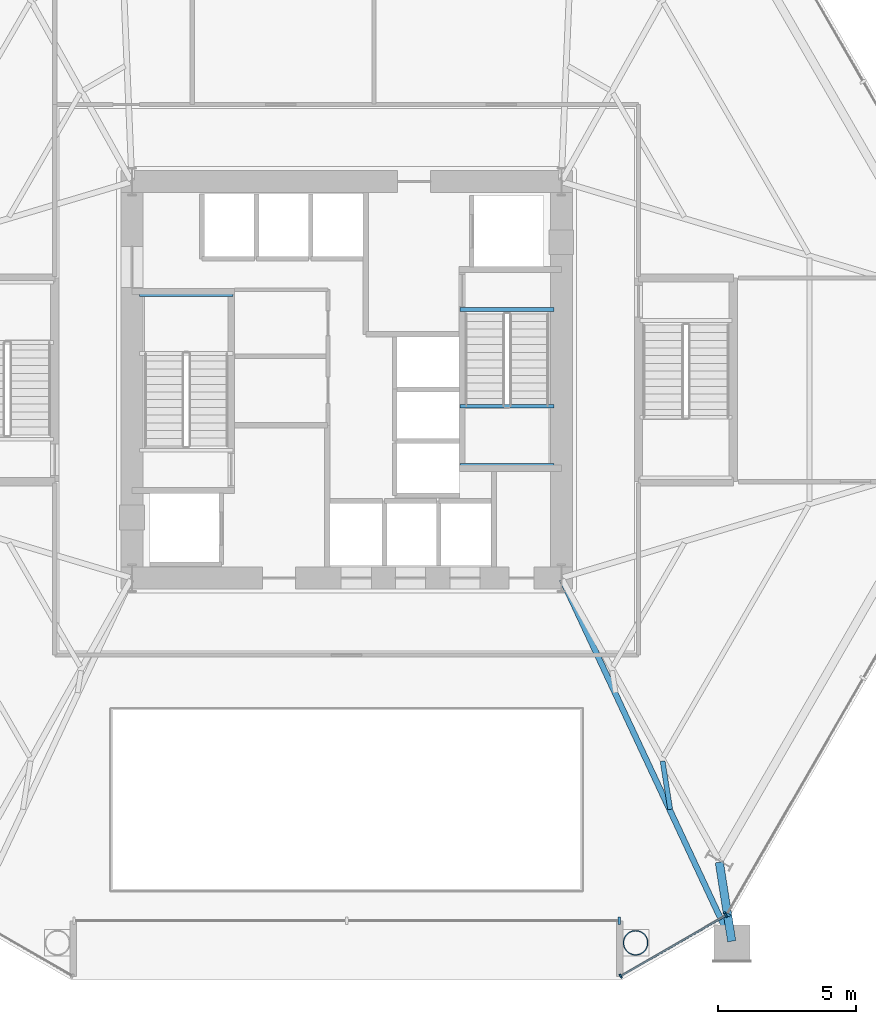
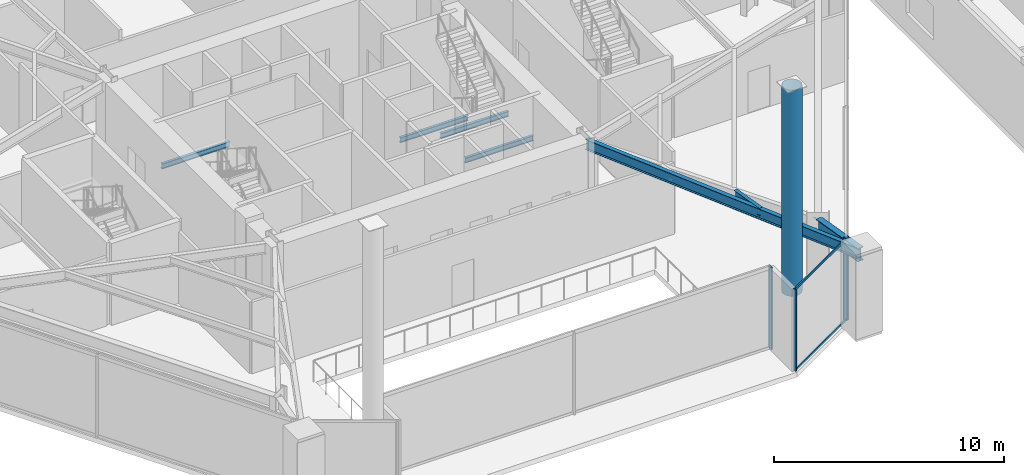
# One storey, part 8 of 22: 7 beams, 7 members, 3 elements without a shape of their own.
"""IFC4 building model written with IfcOpenShell, lengths in metres."""

import ifcopenshell
import ifcopenshell.guid

model = None  # the IFC model being written
_history = None  # IfcOwnerHistory: only IFC2X3 demands one
_inside = {}  # id of a spatial element -> (the spatial element, [elements in it])
_under = {}  # id of a project, library or spatial element -> (it, [spatial elements below it])
_declared = {}  # id of a project -> (the project, [libraries it declares])
_typed = {}  # id of a type object -> (the type object, [elements of that type])
_made_of = {}  # id of a material, layer set ... -> (it, [elements and type objects made of it])


def new_model(schema):
    """Start an empty IFC model of exactly this schema.

    Asked for "IFC4X3", IfcOpenShell would pick the latest addendum, in which some entities
    have other attributes; the version numbers below select the first issue.
    IFC2X3 requires an IfcOwnerHistory on every rooted entity: one is made here for all.
    """
    global model, _history
    if schema == "IFC4X3":
        model = ifcopenshell.file(schema_version=(4, 3, 0, 0))
    else:
        model = ifcopenshell.file(schema=schema)
    _inside.clear()
    _under.clear()
    _declared.clear()
    _typed.clear()
    _made_of.clear()
    _history = None
    if model.schema == "IFC2X3":
        org = make("IfcOrganization", Name="unknown")
        user = make(
            "IfcPersonAndOrganization",
            ThePerson=make("IfcPerson", FamilyName="unknown"),
            TheOrganization=org,
        )
        app = make(
            "IfcApplication",
            ApplicationDeveloper=org,
            Version="unknown",
            ApplicationFullName="unknown",
            ApplicationIdentifier="unknown",
        )
        _history = make(
            "IfcOwnerHistory",
            OwningUser=user,
            OwningApplication=app,
            ChangeAction="ADDED",
            CreationDate=0,
        )
    return model


def make(cls, **values):
    """One entity of the class cls with the attributes given. An attribute that is None is left unset."""
    return model.create_entity(
        cls, **{name: value for name, value in values.items() if value is not None}
    )


def rooted(cls, **values):
    """An entity with a GlobalId (a new one), such as an element, a storey or a relation."""
    return make(cls, GlobalId=ifcopenshell.guid.new(), OwnerHistory=_history, **values)


def si_unit(unit_type, name, prefix=None):
    """IfcSIUnit, for example si_unit("LENGTHUNIT", "METRE", prefix="MILLI")."""
    return make("IfcSIUnit", UnitType=unit_type, Prefix=prefix, Name=name)


def assignment(units):
    """IfcUnitAssignment: the units of a project."""
    return None if units is None else make("IfcUnitAssignment", Units=units)


def point(xyz):
    """IfcCartesianPoint."""
    return None if xyz is None else make("IfcCartesianPoint", Coordinates=xyz)


def direction(xyz):
    """IfcDirection."""
    return None if xyz is None else make("IfcDirection", DirectionRatios=xyz)


def frame(location, z_axis=None, x_axis=None):
    """IfcAxis2Placement3D, a coordinate frame: its origin and axes. An axis left out is left unset."""
    return make(
        "IfcAxis2Placement3D",
        Location=point(location),
        Axis=direction(z_axis),
        RefDirection=direction(x_axis),
    )


def frame_2d(location, x_axis=None):
    """IfcAxis2Placement2D, a coordinate frame in the plane: its origin and x axis."""
    return make(
        "IfcAxis2Placement2D", Location=point(location), RefDirection=direction(x_axis)
    )


def origin():
    """The frame at (0, 0, 0) with its axes left unset."""
    return frame((0.0, 0.0, 0.0))


def origin_2d():
    """The frame at (0, 0) in the plane with its x axis left unset."""
    return frame_2d((0.0, 0.0))


def place(relative_to, where):
    """IfcLocalPlacement: puts the frame where relative to a parent placement (None: the world)."""
    return make(
        "IfcLocalPlacement", PlacementRelTo=relative_to, RelativePlacement=where
    )


def context(
    kind, dimensions, precision=None, world=None, true_north=None, identifier=None
):
    """IfcGeometricRepresentationContext, for example the 3D "Model" context."""
    return make(
        "IfcGeometricRepresentationContext",
        ContextIdentifier=identifier,
        ContextType=kind,
        CoordinateSpaceDimension=dimensions,
        Precision=precision,
        WorldCoordinateSystem=world,
        TrueNorth=true_north,
    )


def subcontext(parent, identifier, kind, view, scale=None):
    """IfcGeometricRepresentationSubContext, for example "Body" below "Model"."""
    return make(
        "IfcGeometricRepresentationSubContext",
        ContextIdentifier=identifier,
        ContextType=kind,
        ParentContext=parent,
        TargetScale=scale,
        TargetView=view,
    )


def project(units=None, contexts=None):
    """IfcProject with its units and contexts."""
    return rooted(
        "IfcProject",
        Name="project",
        RepresentationContexts=contexts,
        UnitsInContext=assignment(units),
    )


def spatial(cls, under=None, at=None, **own):
    """A site, building, storey or space (cls), placed at a placement, below another one or the project."""
    s = rooted(cls, ObjectPlacement=at, **own)
    if under is not None:
        _under.setdefault(under.id(), (under, []))[1].append(s)
    return s


def profile(cls, at=None, kind="AREA", **sizes):
    """A parametric profile (cls). Its sizes go by their IFC names, for example OverallWidth=200.0."""
    return make(cls, ProfileType=kind, Position=at, **sizes)


def rectangle(**sizes):
    """IfcRectangleProfileDef."""
    return profile("IfcRectangleProfileDef", **sizes)


def hollow_circle(**sizes):
    """IfcCircleHollowProfileDef."""
    return profile("IfcCircleHollowProfileDef", **sizes)


def i_section(**sizes):
    """IfcIShapeProfileDef."""
    return profile("IfcIShapeProfileDef", **sizes)


def extrude(swept, where, along, depth):
    """IfcExtrudedAreaSolid: the profile swept, set in the frame where, extruded along a direction by depth."""
    return make(
        "IfcExtrudedAreaSolid",
        SweptArea=swept,
        Position=where,
        ExtrudedDirection=direction(along),
        Depth=depth,
    )


def shape(context_of_items, identifier, shape_type, items):
    """IfcShapeRepresentation: the items that make up one representation, for example the "Body"."""
    return make(
        "IfcShapeRepresentation",
        ContextOfItems=context_of_items,
        RepresentationIdentifier=identifier,
        RepresentationType=shape_type,
        Items=items,
    )


def material(Name=None, Category=None):
    """IfcMaterial."""
    return make("IfcMaterial", Name=Name, Category=Category)


def layer(
    of_material, thickness, ventilated=None, Name=None, Category=None, Priority=None
):
    """IfcMaterialLayer: one layer of a wall or slab, of a material (None: an air gap)."""
    return make(
        "IfcMaterialLayer",
        Material=of_material,
        LayerThickness=thickness,
        IsVentilated=ventilated,
        Name=Name,
        Category=Category,
        Priority=Priority,
    )


def layer_set(layers, Name=None):
    """IfcMaterialLayerSet."""
    return make("IfcMaterialLayerSet", MaterialLayers=layers, LayerSetName=Name)


def material_profile(
    of_material, cross_section, Name=None, Category=None, Priority=None
):
    """IfcMaterialProfile: a cross section and its material."""
    return make(
        "IfcMaterialProfile",
        Name=Name,
        Material=of_material,
        Profile=cross_section,
        Priority=Priority,
        Category=Category,
    )


def profile_set(profiles, Name=None, composite=None):
    """IfcMaterialProfileSet."""
    return make(
        "IfcMaterialProfileSet",
        Name=Name,
        MaterialProfiles=profiles,
        CompositeProfile=composite,
    )


def made_of(thing, what):
    """Note that an element or type object is made of a material, layer set ...; save() writes the relation."""
    if what is not None:
        _made_of.setdefault(what.id(), (what, []))[1].append(thing)
    return thing


def type_object(cls, material=None, **own):
    """A type object (cls), such as IfcWallType, which elements share."""
    return made_of(rooted(cls, **own), material)


def element(
    cls,
    number,
    at=None,
    inside=None,
    cuts=None,
    type_object=None,
    material=None,
    context=None,
    identifier="Body",
    shape_type=None,
    held_by="IfcProductDefinitionShape",
    body=None,
    shapes=None,
    **own,
):
    """One element of the class cls, such as IfcWall. Its Tag is "e" and its number.

    at: its placement. inside: the storey or other place that contains it. cuts: it is an
    opening in that element (IfcRelVoidsElement). A single representation is given by context,
    identifier, shape_type and body (its items); several are given by shapes. held_by: the class
    of the entity that holds the representations. save() writes the other relations.
    """
    e = rooted(cls, Tag="e%d" % number, ObjectPlacement=at, **own)
    if body is not None:
        shapes = [shape(context, identifier, shape_type, body)]
    if shapes is not None:
        e.Representation = make(held_by, Representations=shapes)
    if inside is not None:
        _inside.setdefault(inside.id(), (inside, []))[1].append(e)
    if cuts is not None:
        rooted(
            "IfcRelVoidsElement", RelatingBuildingElement=cuts, RelatedOpeningElement=e
        )
    if type_object is not None:
        _typed.setdefault(type_object.id(), (type_object, []))[1].append(e)
    return made_of(e, material)


def aggregate(whole, parts):
    """IfcRelAggregates: a whole, such as a stair, and the parts it consists of."""
    return rooted("IfcRelAggregates", RelatingObject=whole, RelatedObjects=parts)


def save(model, path):
    """Write the relations noted so far, then the file.

    IfcRelAggregates (storeys below a building ...), IfcRelContainedInSpatialStructure (elements
    in a storey), IfcRelDefinesByType, IfcRelAssociatesMaterial and IfcRelDeclares: one each for
    every whole, place, type object, material and project.
    """
    for whole, parts in _under.values():
        aggregate(whole, parts)
    for where, things in _inside.values():
        rooted(
            "IfcRelContainedInSpatialStructure",
            RelatedElements=things,
            RelatingStructure=where,
        )
    for kind, things in _typed.values():
        rooted("IfcRelDefinesByType", RelatedObjects=things, RelatingType=kind)
    for what, things in _made_of.values():
        rooted("IfcRelAssociatesMaterial", RelatedObjects=things, RelatingMaterial=what)
    for by, libraries in _declared.values():
        rooted("IfcRelDeclares", RelatingContext=by, RelatedDefinitions=libraries)
    model.write(path)


model = new_model("IFC4")

# Units and contexts
model_context = context("Model", 3, precision=1e-05, world=origin(), true_north=direction((0.0, 1.0)))
body_context = subcontext(model_context, "Body", "Model", "MODEL_VIEW")
ifc_project = project(units=[si_unit("LENGTHUNIT", "METRE"), si_unit("AREAUNIT", "SQUARE_METRE"), si_unit("VOLUMEUNIT", "CUBIC_METRE"), si_unit("PLANEANGLEUNIT", "RADIAN"), si_unit("MASSUNIT", "GRAM", prefix="KILO")], contexts=[model_context])

# Site, building, storey
site_placement = place(None, origin())
site = spatial("IfcSite", under=ifc_project, at=site_placement, CompositionType="ELEMENT")
building_placement = place(site_placement, origin())
building = spatial("IfcBuilding", under=site, at=building_placement, Name="Kranzbogen Civic Tower", CompositionType="ELEMENT")
storey_placement = place(building_placement, frame((0.0, 0.0, 5.199951171875)))
storey = spatial("IfcBuildingStorey", under=building, at=storey_placement, Name="L01", CompositionType="ELEMENT", Elevation=5.199951171875)

# Curtain wall, members
ifc_material_1 = material(Name="Pale Anodised Aluminium", Category="aluminium")
ifc_layer_1 = layer(ifc_material_1, 0.219970703125, Name="Pale Anodised Aluminium")
ifc_layer_set_1 = layer_set([ifc_layer_1], Name="Pale Anodised Aluminium")
curtain_wall_type_1 = type_object("IfcCurtainWallType", Name="Chamfer Facet Stick Curtain Wall System CW-06", PredefinedType="USERDEFINED", material=ifc_layer_set_1)
curtain_wall_1_placement = place(storey_placement, origin())
curtain_wall_1 = element("IfcCurtainWall", 1, at=curtain_wall_1_placement, inside=storey, type_object=curtain_wall_type_1, Name="L01 curtain wall CW-L01-C5", ObjectType="STICK CURTAIN WALL", PredefinedType="USERDEFINED")
ifc_material_profile_1 = material_profile(ifc_material_1, rectangle(XDim=0.06005859375, YDim=0.159912109375, at=origin_2d()), Name="ALU-M 60x160")
ifc_profile_set_1 = profile_set([ifc_material_profile_1], Name="Pale Anodised Aluminium")
member_type_1 = type_object("IfcMemberType", Name="Curtain Wall Mullion ALU-M 60x160", PredefinedType="MULLION", material=ifc_profile_set_1)
member_1_placement = place(storey_placement, frame((34.9560546875, 3.342041015625, 0.0), z_axis=(0.0, 0.0, 1.0), x_axis=(0.865992001897, 0.500057849305, 0.0)))
member_1 = element("IfcMember", 2, at=member_1_placement, type_object=member_type_1, Name="CW-06 mullion 1", PredefinedType="MULLION", context=body_context, shape_type="SweptSolid", body=[
    extrude(rectangle(XDim=0.06005859375, YDim=0.159912109375, at=origin_2d()), origin(), (0.0, 0.0, 1.0), 4.340087890625),
])
member_2_placement = place(storey_placement, frame((38.778076171875, 5.549072265625, 0.0), z_axis=(0.0, 0.0, 1.0), x_axis=(0.865992001897, 0.500057849305, 0.0)))
member_2 = element("IfcMember", 3, at=member_2_placement, type_object=member_type_1, Name="CW-06 mullion 2", PredefinedType="MULLION", context=body_context, shape_type="SweptSolid", body=[
    extrude(rectangle(XDim=0.06005859375, YDim=0.159912109375, at=origin_2d()), origin(), (0.0, 0.0, 1.0), 4.340087890625),
])

# Curtain wall, member
ifc_layer_2 = layer(ifc_material_1, 0.219970703125, Name="Pale Anodised Aluminium")
ifc_layer_set_2 = layer_set([ifc_layer_2], Name="Pale Anodised Aluminium")
curtain_wall_type_2 = type_object("IfcCurtainWallType", Name="Podium Stick Curtain Wall System CW-01", PredefinedType="USERDEFINED", material=ifc_layer_set_2)
curtain_wall_2_placement = place(storey_placement, origin())
curtain_wall_2 = element("IfcCurtainWall", 4, at=curtain_wall_2_placement, inside=storey, type_object=curtain_wall_type_2, Name="L01 curtain wall CW-L01-F5", ObjectType="STICK CURTAIN WALL", PredefinedType="USERDEFINED")
ifc_material_profile_2 = material_profile(ifc_material_1, rectangle(XDim=0.0849609375, YDim=0.260009765625, at=origin_2d()), Name="ALU-M 85x260")
ifc_profile_set_2 = profile_set([ifc_material_profile_2], Name="Pale Anodised Aluminium")
member_type_2 = type_object("IfcMemberType", Name="Curtain Wall Mullion ALU-M 85x260", PredefinedType="MULLION", material=ifc_profile_set_2)
member_3_placement = place(storey_placement, frame((34.89990234375, 5.35009765625, 0.0), z_axis=(0.0, 0.0, 1.0), x_axis=(1.0, 0.0, 0.0)))
member_3 = element("IfcMember", 5, at=member_3_placement, type_object=member_type_2, Name="CW-01 mullion 3", PredefinedType="MULLION", context=body_context, shape_type="SweptSolid", body=[
    extrude(rectangle(XDim=0.0849609375, YDim=0.260009765625, at=origin_2d()), origin(), (0.0, 0.0, 1.0), 4.340087890625),
])
aggregate(curtain_wall_2, [member_3])

curtain_wall_3_placement = place(storey_placement, origin())
curtain_wall_3 = element("IfcCurtainWall", 6, at=curtain_wall_3_placement, inside=storey, type_object=curtain_wall_type_2, Name="L01 curtain wall CW-L01-F6", ObjectType="STICK CURTAIN WALL", PredefinedType="USERDEFINED")
member_4_placement = place(storey_placement, frame((38.819091796875, 5.590087890625, 0.0), z_axis=(0.0, 0.0, 1.0), x_axis=(0.500005767433, 0.86602207393, 0.0)))
member_4 = element("IfcMember", 7, at=member_4_placement, type_object=member_type_2, Name="CW-01 mullion 1", PredefinedType="MULLION", context=body_context, shape_type="SweptSolid", body=[
    extrude(rectangle(XDim=0.0849609375, YDim=0.260009765625, at=origin_2d()), origin(), (0.0, 0.0, 1.0), 4.340087890625),
])
aggregate(curtain_wall_3, [member_4])

# Member
ifc_material_profile_3 = material_profile(ifc_material_1, rectangle(XDim=0.06005859375, YDim=0.1201171875, at=origin_2d()), Name="ALU-T 60x120")
ifc_profile_set_3 = profile_set([ifc_material_profile_3], Name="Pale Anodised Aluminium")
member_type_3 = type_object("IfcMemberType", Name="Curtain Wall Transom ALU-T 60x120", PredefinedType="USERDEFINED", material=ifc_profile_set_3)
member_5_placement = place(storey_placement, frame((34.98193359375, 3.35693359375, 0.030029296875), z_axis=(0.865987588642, 0.500065492029, 0.0), x_axis=(-0.500065492029, 0.865987588642, 0.0)))
member_5 = element("IfcMember", 8, at=member_5_placement, type_object=member_type_3, Name="CW-06 transom 1.1", ObjectType="TRANSOM", PredefinedType="USERDEFINED", context=body_context, shape_type="SweptSolid", body=[
    extrude(rectangle(XDim=0.06005859375, YDim=0.1201171875, at=origin_2d()), origin(), (0.0, 0.0, 1.0), 4.353515625),
])

member_6_placement = place(storey_placement, frame((34.98193359375, 3.35693359375, 4.31005859375), z_axis=(0.865987588642, 0.500065492029, 0.0), x_axis=(-0.500065492029, 0.865987588642, 0.0)))
member_6 = element("IfcMember", 9, at=member_6_placement, type_object=member_type_3, Name="CW-06 transom 1.2", ObjectType="TRANSOM", PredefinedType="USERDEFINED", context=body_context, shape_type="SweptSolid", body=[
    extrude(rectangle(XDim=0.06005859375, YDim=0.1201171875, at=origin_2d()), origin(), (0.0, 0.0, 1.0), 4.353515625),
])

aggregate(curtain_wall_1, [member_1, member_2, member_5, member_6])

# Beam
ifc_material_2 = material(Name="Steel S355", Category="steel")
ifc_material_profile_4 = material_profile(ifc_material_2, i_section(OverallWidth=0.300048828125, OverallDepth=0.699951171875, WebThickness=0.01708984375, FlangeThickness=0.031982421875, at=origin_2d()), Name="HEB 700")
ifc_profile_set_4 = profile_set([ifc_material_profile_4], Name="Steel S355")
beam_type_1 = type_object("IfcBeamType", Name="Perimeter Tube Spandrel Beam HEB 700", PredefinedType="SPANDREL", material=ifc_profile_set_4)
beam_1_placement = place(storey_placement, frame((38.990966796875, 4.60888671875, 3.989990234375), z_axis=(-0.155310516678, 0.9878657011, 0.0), x_axis=(-0.9878657011, -0.155310516678, 0.0)))
element("IfcBeam", 10, at=beam_1_placement, inside=storey, type_object=beam_type_1, Name="L01 perimeter spandrel beam 04", PredefinedType="SPANDREL", context=body_context, shape_type="SweptSolid", body=[
    extrude(i_section(OverallWidth=0.300048828125, OverallDepth=0.699951171875, WebThickness=0.01708984375, FlangeThickness=0.031982421875, at=origin_2d()), origin(), (0.0, 0.0, 1.0), 2.9033203125),
])

# Member
ifc_material_3 = material(Name="Steel S460", Category="steel")
ifc_material_profile_5 = material_profile(ifc_material_3, hollow_circle(Radius=0.45703125, WallThickness=0.035888671875, at=origin_2d()), Name="CHS 914x36")
ifc_profile_set_5 = profile_set([ifc_material_profile_5], Name="Steel S460")
member_type_4 = type_object("IfcMemberType", Name="Portal Arch Thrust Strut CHS 914x36", PredefinedType="STRUT", material=ifc_profile_set_5)
member_7_placement = place(storey_placement, frame((35.5, 4.550048828125, 3.338134765625), z_axis=(0.0, 0.0, 1.0), x_axis=(1.0, 0.0, 0.0)))
element("IfcMember", 11, at=member_7_placement, inside=storey, type_object=member_type_4, Name="STR-1: Portal arch transfer post 7", PredefinedType="STRUT", context=body_context, shape_type="SweptSolid", body=[
    extrude(hollow_circle(Radius=0.45703125, WallThickness=0.035888671875, at=origin_2d()), origin(), (0.0, 0.0, 1.0), 10.911865234375),
])

# Beams
ifc_material_profile_6 = material_profile(ifc_material_2, i_section(OverallWidth=0.2099609375, OverallDepth=0.550048828125, WebThickness=0.010986328125, FlangeThickness=0.01708984375, at=origin_2d()), Name="IPE 550")
ifc_profile_set_6 = profile_set([ifc_material_profile_6], Name="Steel S355")
beam_type_2 = type_object("IfcBeamType", Name="Radial Tower Floor Girder IPE 550", PredefinedType="BEAM", material=ifc_profile_set_6)
beam_2_placement = place(storey_placement, frame((38.97509765625, 4.60400390625, 4.06494140625), z_axis=(-0.423857000271, 0.905729122487, 0.0), x_axis=(-0.905729122487, -0.423857000271, 0.0)))
element("IfcBeam", 12, at=beam_2_placement, inside=storey, type_object=beam_type_2, Name="L01 radial floor girder 04", PredefinedType="BEAM", context=body_context, shape_type="SweptSolid", body=[
    extrude(i_section(OverallWidth=0.2099609375, OverallDepth=0.550048828125, WebThickness=0.010986328125, FlangeThickness=0.01708984375, at=origin_2d()), origin(), (0.0, 0.0, 1.0), 14.510009765625),
])
ifc_material_profile_7 = material_profile(ifc_material_2, i_section(OverallWidth=0.179931640625, OverallDepth=0.39990234375, WebThickness=0.008544921875, FlangeThickness=0.013427734375, at=origin_2d()), Name="IPE 400")
ifc_profile_set_7 = profile_set([ifc_material_profile_7], Name="Steel S355")
beam_type_3 = type_object("IfcBeamType", Name="Secondary Composite Floor Joist IPE 400", PredefinedType="JOIST", material=ifc_profile_set_7)
beam_3_placement = place(storey_placement, frame((36.756103515625, 9.39892578125, 4.14013671875), z_axis=(-0.155581109843, 0.987823120938, 0.0), x_axis=(-0.987823120938, -0.155581109843, 0.0)))
element("IfcBeam", 13, at=beam_3_placement, inside=storey, type_object=beam_type_3, Name="L01 secondary floor joist 1.04", PredefinedType="JOIST", context=body_context, shape_type="SweptSolid", body=[
    extrude(i_section(OverallWidth=0.179931640625, OverallDepth=0.39990234375, WebThickness=0.008544921875, FlangeThickness=0.013427734375, at=origin_2d()), origin(), (0.0, 0.0, 1.0), 1.77490234375),
])
ifc_material_profile_8 = material_profile(ifc_material_2, i_section(OverallWidth=0.135009765625, OverallDepth=0.27001953125, WebThickness=0.006591796875, FlangeThickness=0.01025390625, at=origin_2d()), Name="IPE 270")
ifc_profile_set_8 = profile_set([ifc_material_profile_8], Name="Steel S355")
beam_type_4 = type_object("IfcBeamType", Name="Stair Landing Support Beam IPE 270", PredefinedType="JOIST", material=ifc_profile_set_8)
for number, where, z_axis, x_axis, name in (
    (14, (20.8798828125, 28.10009765625, 1.965087890625), (-1.0, 0.0, 0.0), (0.0, -1.0, 0.0), "L01 ST-T1 landing support beam 1.2"),
    (15, (29.1201171875, 27.56005859375, -0.39501953125), (1.0, 0.0, 0.0), (0.0, 1.0, 0.0), "L01 ST-T2 stair floor header beam"),
    (16, (29.1201171875, 24.0400390625, 1.965087890625), (1.0, 0.0, 0.0), (0.0, 1.0, 0.0), "L01 ST-T2 landing support beam 1.1"),
    (17, (29.1201171875, 21.89990234375, 1.965087890625), (1.0, 0.0, 0.0), (0.0, 1.0, 0.0), "L01 ST-T2 landing support beam 1.2"),
):
    element("IfcBeam", number, at=place(storey_placement, frame(where, z_axis=z_axis, x_axis=x_axis)), inside=storey, type_object=beam_type_4, Name=name, PredefinedType="JOIST", context=body_context, shape_type="SweptSolid", body=[
        extrude(i_section(OverallWidth=0.135009765625, OverallDepth=0.27001953125, WebThickness=0.006591796875, FlangeThickness=0.01025390625, at=origin_2d()), origin(), (0.0, 0.0, 1.0), 3.409912109375),
    ])

save(model, "model.ifc")
